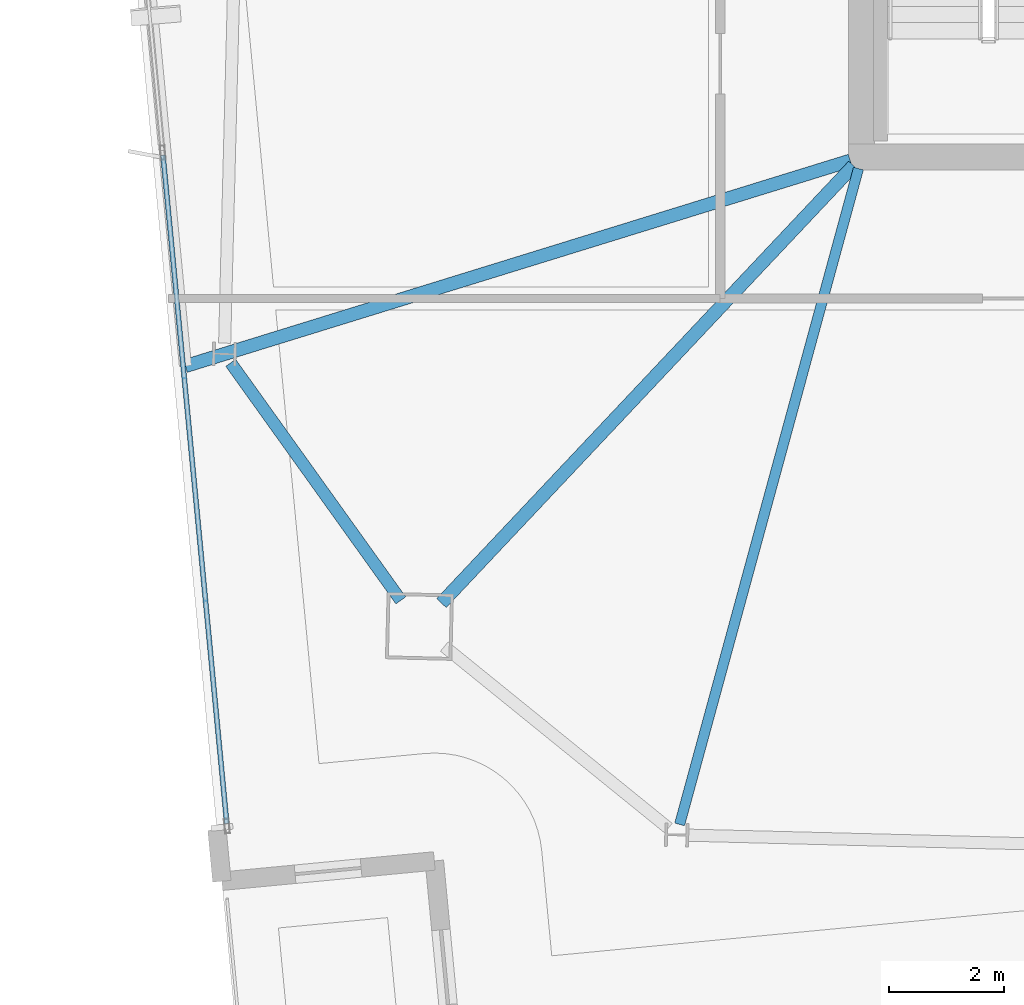
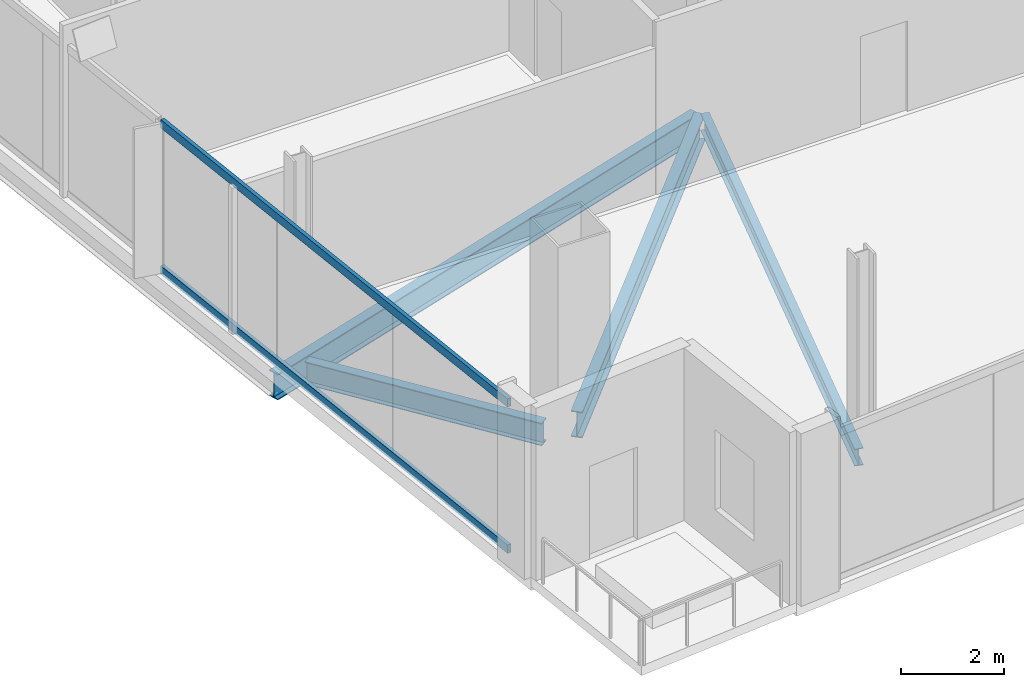
# One storey, part 3 of 24: 4 beams, 2 members, 1 element without a shape of its own.
"""IFC4 building model written with IfcOpenShell, lengths in metres."""

import ifcopenshell
import ifcopenshell.guid

model = None  # the IFC model being written
_history = None  # IfcOwnerHistory: only IFC2X3 demands one
_inside = {}  # id of a spatial element -> (the spatial element, [elements in it])
_under = {}  # id of a project, library or spatial element -> (it, [spatial elements below it])
_declared = {}  # id of a project -> (the project, [libraries it declares])
_typed = {}  # id of a type object -> (the type object, [elements of that type])
_made_of = {}  # id of a material, layer set ... -> (it, [elements and type objects made of it])


def new_model(schema):
    """Start an empty IFC model of exactly this schema.

    Asked for "IFC4X3", IfcOpenShell would pick the latest addendum, in which some entities
    have other attributes; the version numbers below select the first issue.
    IFC2X3 requires an IfcOwnerHistory on every rooted entity: one is made here for all.
    """
    global model, _history
    if schema == "IFC4X3":
        model = ifcopenshell.file(schema_version=(4, 3, 0, 0))
    else:
        model = ifcopenshell.file(schema=schema)
    _inside.clear()
    _under.clear()
    _declared.clear()
    _typed.clear()
    _made_of.clear()
    _history = None
    if model.schema == "IFC2X3":
        org = make("IfcOrganization", Name="unknown")
        user = make(
            "IfcPersonAndOrganization",
            ThePerson=make("IfcPerson", FamilyName="unknown"),
            TheOrganization=org,
        )
        app = make(
            "IfcApplication",
            ApplicationDeveloper=org,
            Version="unknown",
            ApplicationFullName="unknown",
            ApplicationIdentifier="unknown",
        )
        _history = make(
            "IfcOwnerHistory",
            OwningUser=user,
            OwningApplication=app,
            ChangeAction="ADDED",
            CreationDate=0,
        )
    return model


def make(cls, **values):
    """One entity of the class cls with the attributes given. An attribute that is None is left unset."""
    return model.create_entity(
        cls, **{name: value for name, value in values.items() if value is not None}
    )


def rooted(cls, **values):
    """An entity with a GlobalId (a new one), such as an element, a storey or a relation."""
    return make(cls, GlobalId=ifcopenshell.guid.new(), OwnerHistory=_history, **values)


def si_unit(unit_type, name, prefix=None):
    """IfcSIUnit, for example si_unit("LENGTHUNIT", "METRE", prefix="MILLI")."""
    return make("IfcSIUnit", UnitType=unit_type, Prefix=prefix, Name=name)


def assignment(units):
    """IfcUnitAssignment: the units of a project."""
    return None if units is None else make("IfcUnitAssignment", Units=units)


def point(xyz):
    """IfcCartesianPoint."""
    return None if xyz is None else make("IfcCartesianPoint", Coordinates=xyz)


def direction(xyz):
    """IfcDirection."""
    return None if xyz is None else make("IfcDirection", DirectionRatios=xyz)


def frame(location, z_axis=None, x_axis=None):
    """IfcAxis2Placement3D, a coordinate frame: its origin and axes. An axis left out is left unset."""
    return make(
        "IfcAxis2Placement3D",
        Location=point(location),
        Axis=direction(z_axis),
        RefDirection=direction(x_axis),
    )


def frame_2d(location, x_axis=None):
    """IfcAxis2Placement2D, a coordinate frame in the plane: its origin and x axis."""
    return make(
        "IfcAxis2Placement2D", Location=point(location), RefDirection=direction(x_axis)
    )


def origin():
    """The frame at (0, 0, 0) with its axes left unset."""
    return frame((0.0, 0.0, 0.0))


def origin_2d():
    """The frame at (0, 0) in the plane with its x axis left unset."""
    return frame_2d((0.0, 0.0))


def place(relative_to, where):
    """IfcLocalPlacement: puts the frame where relative to a parent placement (None: the world)."""
    return make(
        "IfcLocalPlacement", PlacementRelTo=relative_to, RelativePlacement=where
    )


def context(
    kind, dimensions, precision=None, world=None, true_north=None, identifier=None
):
    """IfcGeometricRepresentationContext, for example the 3D "Model" context."""
    return make(
        "IfcGeometricRepresentationContext",
        ContextIdentifier=identifier,
        ContextType=kind,
        CoordinateSpaceDimension=dimensions,
        Precision=precision,
        WorldCoordinateSystem=world,
        TrueNorth=true_north,
    )


def subcontext(parent, identifier, kind, view, scale=None):
    """IfcGeometricRepresentationSubContext, for example "Body" below "Model"."""
    return make(
        "IfcGeometricRepresentationSubContext",
        ContextIdentifier=identifier,
        ContextType=kind,
        ParentContext=parent,
        TargetScale=scale,
        TargetView=view,
    )


def project(units=None, contexts=None):
    """IfcProject with its units and contexts."""
    return rooted(
        "IfcProject",
        Name="project",
        RepresentationContexts=contexts,
        UnitsInContext=assignment(units),
    )


def spatial(cls, under=None, at=None, **own):
    """A site, building, storey or space (cls), placed at a placement, below another one or the project."""
    s = rooted(cls, ObjectPlacement=at, **own)
    if under is not None:
        _under.setdefault(under.id(), (under, []))[1].append(s)
    return s


def profile(cls, at=None, kind="AREA", **sizes):
    """A parametric profile (cls). Its sizes go by their IFC names, for example OverallWidth=200.0."""
    return make(cls, ProfileType=kind, Position=at, **sizes)


def hollow_rectangle(**sizes):
    """IfcRectangleHollowProfileDef."""
    return profile("IfcRectangleHollowProfileDef", **sizes)


def i_section(**sizes):
    """IfcIShapeProfileDef."""
    return profile("IfcIShapeProfileDef", **sizes)


def extrude(swept, where, along, depth):
    """IfcExtrudedAreaSolid: the profile swept, set in the frame where, extruded along a direction by depth."""
    return make(
        "IfcExtrudedAreaSolid",
        SweptArea=swept,
        Position=where,
        ExtrudedDirection=direction(along),
        Depth=depth,
    )


def shape(context_of_items, identifier, shape_type, items):
    """IfcShapeRepresentation: the items that make up one representation, for example the "Body"."""
    return make(
        "IfcShapeRepresentation",
        ContextOfItems=context_of_items,
        RepresentationIdentifier=identifier,
        RepresentationType=shape_type,
        Items=items,
    )


def material(Name=None, Category=None):
    """IfcMaterial."""
    return make("IfcMaterial", Name=Name, Category=Category)


def material_profile(
    of_material, cross_section, Name=None, Category=None, Priority=None
):
    """IfcMaterialProfile: a cross section and its material."""
    return make(
        "IfcMaterialProfile",
        Name=Name,
        Material=of_material,
        Profile=cross_section,
        Priority=Priority,
        Category=Category,
    )


def profile_set(profiles, Name=None, composite=None):
    """IfcMaterialProfileSet."""
    return make(
        "IfcMaterialProfileSet",
        Name=Name,
        MaterialProfiles=profiles,
        CompositeProfile=composite,
    )


def made_of(thing, what):
    """Note that an element or type object is made of a material, layer set ...; save() writes the relation."""
    if what is not None:
        _made_of.setdefault(what.id(), (what, []))[1].append(thing)
    return thing


def type_object(cls, material=None, **own):
    """A type object (cls), such as IfcWallType, which elements share."""
    return made_of(rooted(cls, **own), material)


def element(
    cls,
    number,
    at=None,
    inside=None,
    cuts=None,
    type_object=None,
    material=None,
    context=None,
    identifier="Body",
    shape_type=None,
    held_by="IfcProductDefinitionShape",
    body=None,
    shapes=None,
    **own,
):
    """One element of the class cls, such as IfcWall. Its Tag is "e" and its number.

    at: its placement. inside: the storey or other place that contains it. cuts: it is an
    opening in that element (IfcRelVoidsElement). A single representation is given by context,
    identifier, shape_type and body (its items); several are given by shapes. held_by: the class
    of the entity that holds the representations. save() writes the other relations.
    """
    e = rooted(cls, Tag="e%d" % number, ObjectPlacement=at, **own)
    if body is not None:
        shapes = [shape(context, identifier, shape_type, body)]
    if shapes is not None:
        e.Representation = make(held_by, Representations=shapes)
    if inside is not None:
        _inside.setdefault(inside.id(), (inside, []))[1].append(e)
    if cuts is not None:
        rooted(
            "IfcRelVoidsElement", RelatingBuildingElement=cuts, RelatedOpeningElement=e
        )
    if type_object is not None:
        _typed.setdefault(type_object.id(), (type_object, []))[1].append(e)
    return made_of(e, material)


def aggregate(whole, parts):
    """IfcRelAggregates: a whole, such as a stair, and the parts it consists of."""
    return rooted("IfcRelAggregates", RelatingObject=whole, RelatedObjects=parts)


def save(model, path):
    """Write the relations noted so far, then the file.

    IfcRelAggregates (storeys below a building ...), IfcRelContainedInSpatialStructure (elements
    in a storey), IfcRelDefinesByType, IfcRelAssociatesMaterial and IfcRelDeclares: one each for
    every whole, place, type object, material and project.
    """
    for whole, parts in _under.values():
        aggregate(whole, parts)
    for where, things in _inside.values():
        rooted(
            "IfcRelContainedInSpatialStructure",
            RelatedElements=things,
            RelatingStructure=where,
        )
    for kind, things in _typed.values():
        rooted("IfcRelDefinesByType", RelatedObjects=things, RelatingType=kind)
    for what, things in _made_of.values():
        rooted("IfcRelAssociatesMaterial", RelatedObjects=things, RelatingMaterial=what)
    for by, libraries in _declared.values():
        rooted("IfcRelDeclares", RelatingContext=by, RelatedDefinitions=libraries)
    model.write(path)


model = new_model("IFC4")

# Units and contexts
model_context = context("Model", 3, precision=1e-05, world=origin(), true_north=direction((0.0, 1.0)))
body_context = subcontext(model_context, "Body", "Model", "MODEL_VIEW")
ifc_project = project(units=[si_unit("LENGTHUNIT", "METRE"), si_unit("AREAUNIT", "SQUARE_METRE"), si_unit("VOLUMEUNIT", "CUBIC_METRE"), si_unit("PLANEANGLEUNIT", "RADIAN"), si_unit("MASSUNIT", "GRAM", prefix="KILO")], contexts=[model_context])

# Site, building, storey
site_placement = place(None, origin())
site = spatial("IfcSite", under=ifc_project, at=site_placement, CompositionType="ELEMENT")
building_placement = place(site_placement, origin())
building = spatial("IfcBuilding", under=site, at=building_placement, Name="Haldenkirk Collegiate Tower", CompositionType="ELEMENT")
storey_placement = place(building_placement, frame((0.0, 0.0, 347.699951171875)))
storey = spatial("IfcBuildingStorey", under=building, at=storey_placement, Name="L88", CompositionType="ELEMENT", Elevation=347.699951171875)

# Beams
ifc_material_1 = material(Name="Steel ASTM A992 Grade 50", Category="steel")
ifc_material_profile_1 = material_profile(ifc_material_1, i_section(OverallWidth=0.22998046875, OverallDepth=0.616943359375, WebThickness=0.01318359375, FlangeThickness=0.022216796875, at=origin_2d()), Name="W24X94")
ifc_profile_set_1 = profile_set([ifc_material_profile_1], Name="Steel ASTM A992 Grade 50")
beam_type_1 = type_object("IfcBeamType", Name="BM-GIRDER-W24X94", PredefinedType="BEAM", material=ifc_profile_set_1)
beam_1_placement = place(storey_placement, frame((19.717041015625, 10.2705078125, -0.62841796875), z_axis=(0.685767478835, 0.72782069562, 0.0), x_axis=(-0.72782069562, 0.685767478835, 0.0)))
element("IfcBeam", 1, at=beam_1_placement, inside=storey, type_object=beam_type_1, Name="L88 primary floor girder 04", PredefinedType="BEAM", context=body_context, shape_type="SweptSolid", body=[
    extrude(i_section(OverallWidth=0.22998046875, OverallDepth=0.616943359375, WebThickness=0.01318359375, FlangeThickness=0.022216796875, at=origin_2d()), origin(), (0.0, 0.0, 1.0), 10.4150390625),
])
beam_2_placement = place(storey_placement, frame((15.280029296875, 14.379150390625, -0.62841796875), z_axis=(0.955442711359, 0.295176600211, 0.0), x_axis=(-0.295176600211, 0.955442711359, 0.0)))
element("IfcBeam", 2, at=beam_2_placement, inside=storey, type_object=beam_type_1, Name="L88 primary floor girder 13", PredefinedType="BEAM", context=body_context, shape_type="SweptSolid", body=[
    extrude(i_section(OverallWidth=0.22998046875, OverallDepth=0.616943359375, WebThickness=0.01318359375, FlangeThickness=0.022216796875, at=origin_2d()), origin(), (0.0, 0.0, 1.0), 12.0615234375),
])
ifc_material_profile_2 = material_profile(ifc_material_1, i_section(OverallWidth=0.177978515625, OverallDepth=0.406005859375, WebThickness=0.0078125, FlangeThickness=0.0126953125, at=origin_2d()), Name="W16X40")
ifc_profile_set_2 = profile_set([ifc_material_profile_2], Name="Steel ASTM A992 Grade 50")
beam_type_2 = type_object("IfcBeamType", Name="BM-JOIST-W16X40", PredefinedType="JOIST", material=ifc_profile_set_2)
beam_3_placement = place(storey_placement, frame((23.845947265625, 6.433837890625, -0.52294921875), z_axis=(0.263087602438, 0.964771948931, 0.0), x_axis=(-0.964771948931, 0.263087602438, 0.0)))
element("IfcBeam", 3, at=beam_3_placement, inside=storey, type_object=beam_type_2, Name="L88 composite floor joist 14", PredefinedType="JOIST", context=body_context, shape_type="SweptSolid", body=[
    extrude(i_section(OverallWidth=0.177978515625, OverallDepth=0.406005859375, WebThickness=0.0078125, FlangeThickness=0.0126953125, at=origin_2d()), origin(), (0.0, 0.0, 1.0), 11.783447265625),
])
ifc_material_profile_3 = material_profile(ifc_material_1, i_section(OverallWidth=0.2099609375, OverallDepth=0.537109375, WebThickness=0.010986328125, FlangeThickness=0.017333984375, at=origin_2d()), Name="W21X68")
ifc_profile_set_3 = profile_set([ifc_material_profile_3], Name="Steel ASTM A992 Grade 50")
beam_type_3 = type_object("IfcBeamType", Name="BM-SPANDREL-W21X68", PredefinedType="SPANDREL", material=ifc_profile_set_3)
beam_4_placement = place(storey_placement, frame((16.064208984375, 14.434814453125, -0.58837890625), z_axis=(0.582300220922, -0.812973832737, 0.0), x_axis=(0.812973832737, 0.582300220922, 0.0)))
element("IfcBeam", 4, at=beam_4_placement, inside=storey, type_object=beam_type_3, Name="L88 perimeter spandrel beam 12", PredefinedType="SPANDREL", context=body_context, shape_type="SweptSolid", body=[
    extrude(i_section(OverallWidth=0.2099609375, OverallDepth=0.537109375, WebThickness=0.010986328125, FlangeThickness=0.017333984375, at=origin_2d()), origin(), (0.0, 0.0, 1.0), 5.064453125),
])

# Curtain wall, members
ifc_material_2 = material(Name="Anodised architectural bronze aluminium", Category="aluminium")
curtain_wall_type = type_object("IfcCurtainWallType", Name="CW-SYS1B-CONVEX-HI", PredefinedType="USERDEFINED", material=ifc_material_2)
curtain_wall_placement = place(storey_placement, origin())
curtain_wall = element("IfcCurtainWall", 5, at=curtain_wall_placement, inside=storey, type_object=curtain_wall_type, Name="L88 Upper tower high-wind convex bronze unitised curtain wall", ObjectType="UNITISED CURTAIN WALL", PredefinedType="USERDEFINED")
ifc_material_profile_4 = material_profile(ifc_material_2, hollow_rectangle(XDim=0.0849609375, YDim=0.199951171875, WallThickness=0.0048828125, at=origin_2d()), Name="CW-TRN-1B")
ifc_profile_set_4 = profile_set([ifc_material_profile_4], Name="Anodised architectural bronze aluminium")
member_type = type_object("IfcMemberType", Name="CW-TRN-1B", PredefinedType="USERDEFINED", material=ifc_profile_set_4)
member_1_placement = place(storey_placement, frame((15.996826171875, 6.44677734375, 0.04248046875), z_axis=(-0.09497935041, 0.995479242875, 0.0), x_axis=(-0.995479242875, -0.09497935041, 0.0)))
member_1 = element("IfcMember", 6, at=member_1_placement, type_object=member_type, Name="CW-1B transom 1.1", ObjectType="TRANSOM", PredefinedType="USERDEFINED", context=body_context, shape_type="SweptSolid", body=[
    extrude(hollow_rectangle(XDim=0.0849609375, YDim=0.199951171875, WallThickness=0.0048828125, at=origin_2d()), origin(), (0.0, 0.0, 1.0), 11.63916015625),
])
member_2_placement = place(storey_placement, frame((15.996826171875, 6.44677734375, 3.515625), z_axis=(-0.09497935041, 0.995479242875, 0.0), x_axis=(-0.995479242875, -0.09497935041, 0.0)))
member_2 = element("IfcMember", 7, at=member_2_placement, type_object=member_type, Name="CW-1B transom 1.2", ObjectType="TRANSOM", PredefinedType="USERDEFINED", context=body_context, shape_type="SweptSolid", body=[
    extrude(hollow_rectangle(XDim=0.0849609375, YDim=0.199951171875, WallThickness=0.0048828125, at=origin_2d()), origin(), (0.0, 0.0, 1.0), 11.63916015625),
])
aggregate(curtain_wall, [member_1, member_2])

save(model, "model.ifc")
